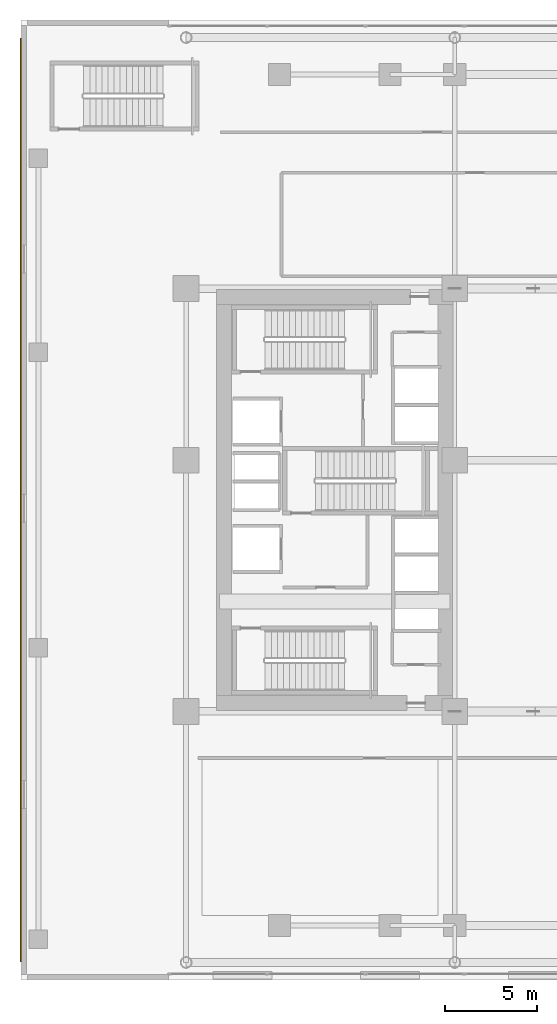
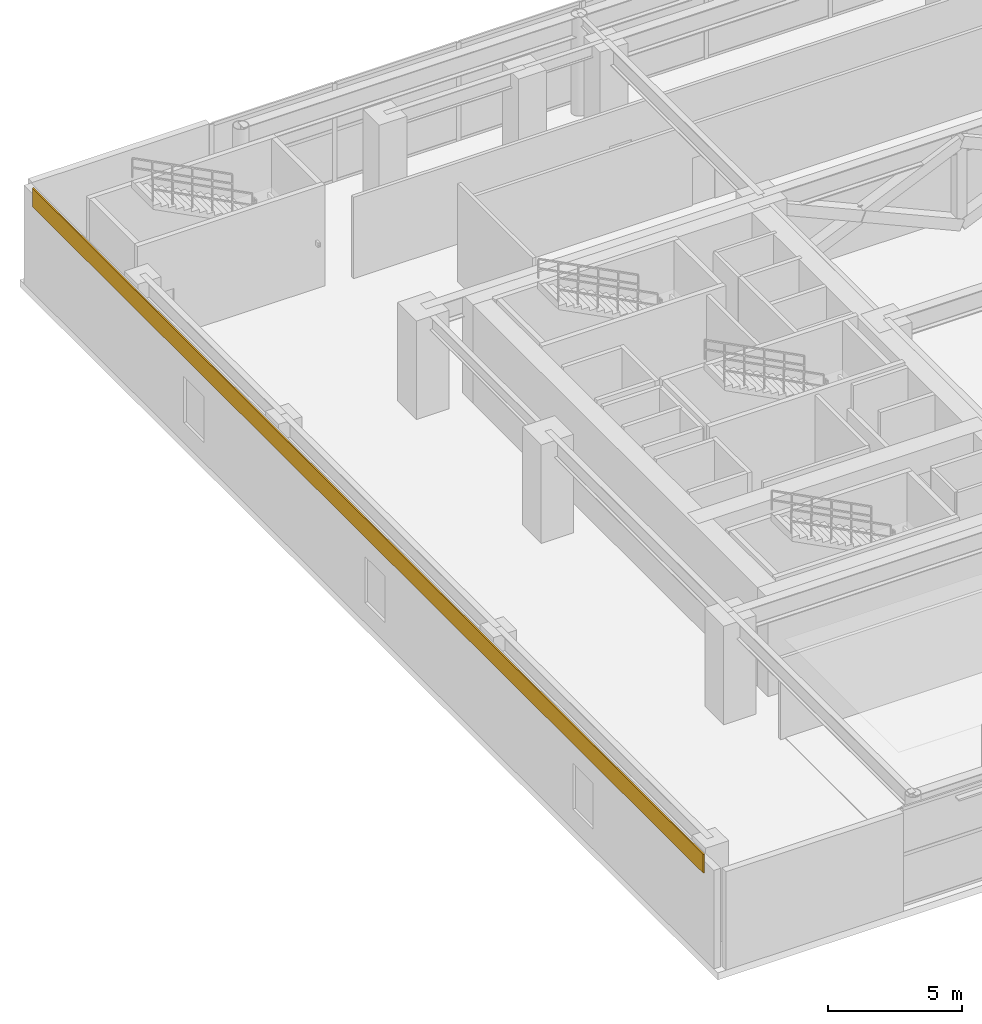
# One storey, part 24 of 28: 1 covering.
"""IFC4 building model written with IfcOpenShell, lengths in metres."""

from ifc_helpers import new_model, si_unit, direction, frame, origin, origin_2d, place, context, subcontext, project, spatial, rectangle, extrude, source, transform, mapped, material, layer, layer_set, type_object, element, save


model = new_model("IFC4")

# Units and contexts
model_context = context("Model", 3, precision=1e-05, world=origin(), true_north=direction((0.0, 1.0)))
body_context = subcontext(model_context, "Body", "Model", "MODEL_VIEW")
ifc_project = project(units=[si_unit("LENGTHUNIT", "METRE"), si_unit("AREAUNIT", "SQUARE_METRE"), si_unit("VOLUMEUNIT", "CUBIC_METRE"), si_unit("PLANEANGLEUNIT", "RADIAN"), si_unit("MASSUNIT", "GRAM", prefix="KILO")], contexts=[model_context])

# Site, building, storey
site_placement = place(None, origin())
site = spatial("IfcSite", under=ifc_project, at=site_placement, CompositionType="ELEMENT")
building_placement = place(site_placement, origin())
building = spatial("IfcBuilding", under=site, at=building_placement, Name="Ocotamira Hotel", CompositionType="ELEMENT")
storey_placement = place(building_placement, frame((0.0, 0.0, 24.0)))
storey = spatial("IfcBuildingStorey", under=building, at=storey_placement, Name="L05", CompositionType="ELEMENT", Elevation=24.0)

# Covering
ifc_material = material(Name="Pale-metal champagne aluminium rainscreen cladding", Category="aluminium")
ifc_layer = layer(ifc_material, 0.06005859375)
ifc_layer_set = layer_set([ifc_layer], Name="Pale-metal champagne aluminium rainscreen cladding")
covering_type = type_object("IfcCoveringType", Name="COV-CLAD-60", PredefinedType="CLADDING", material=ifc_layer_set)
shared_shape = source(origin(), body_context, "Body", "SweptSolid", [
    extrude(rectangle(XDim=0.06005859375, YDim=50.0, at=origin_2d()), origin(), (0.0, 0.0, 1.0), 0.85009765625),
])
covering_placement = place(storey_placement, frame((-0.02001953125, 26.0, 3.949951171875), z_axis=(0.0, 0.0, 1.0), x_axis=(1.0, 0.0, 0.0)))
element("IfcCovering", 1, at=covering_placement, inside=storey, type_object=covering_type, Name="L05 West Spandrel Cladding", PredefinedType="CLADDING", context=body_context, shape_type="MappedRepresentation", body=[
    mapped(shared_shape, transform((0.0, 0.0, 0.0), scale=1.0)),
])

save(model, "model.ifc")
